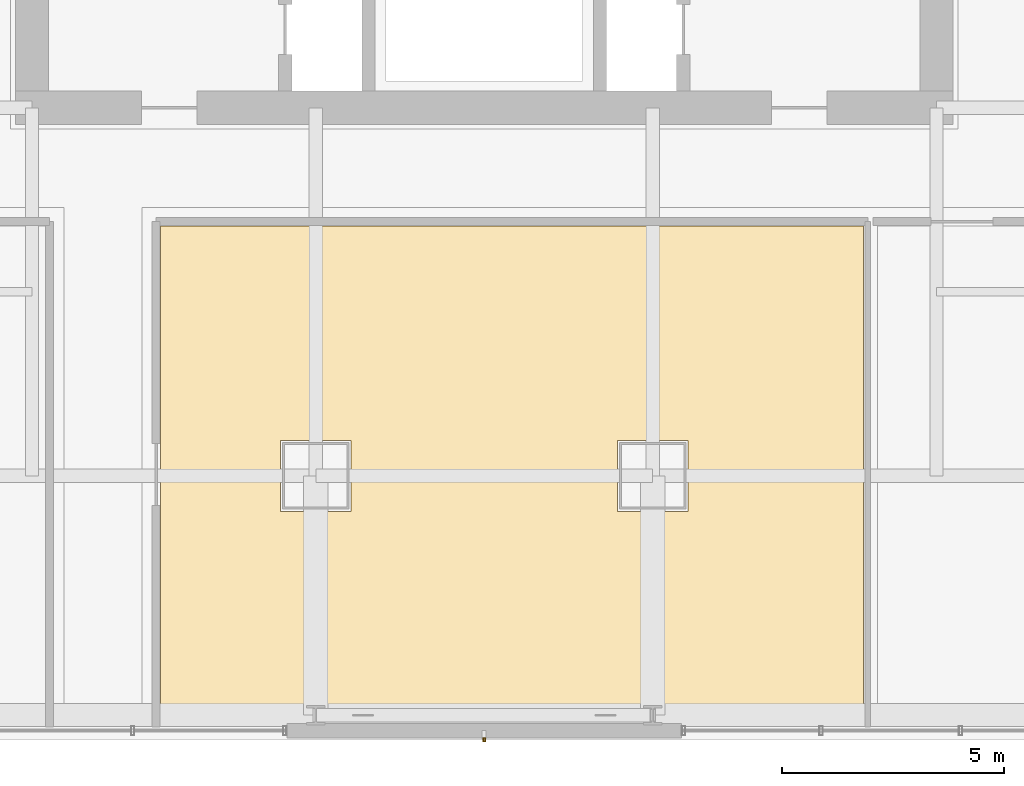
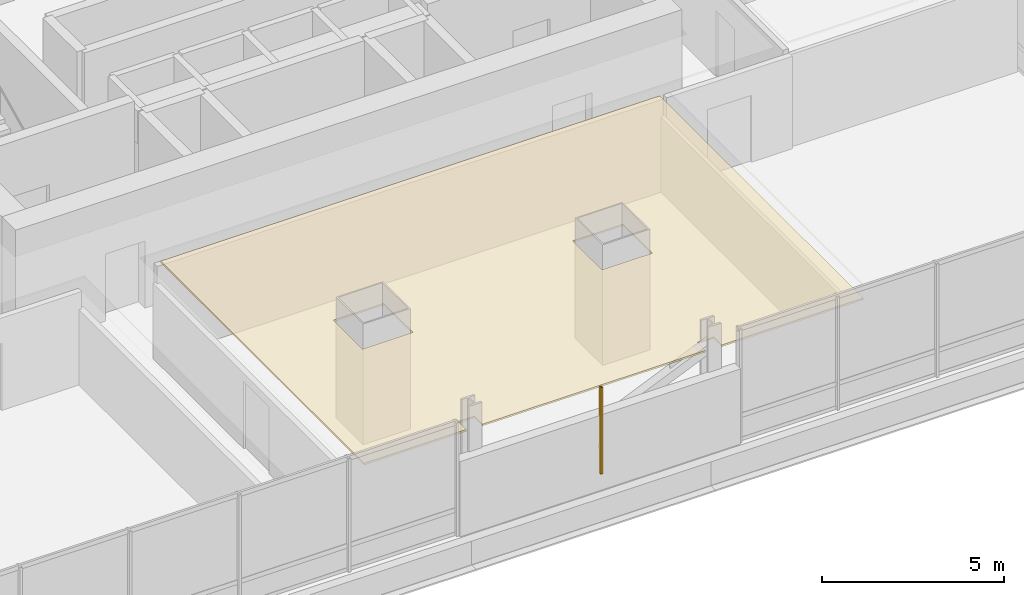
# One storey, part 31 of 37: 1 covering, 1 shading device.
"""IFC4 building model written with IfcOpenShell, lengths in metres."""

from ifc_helpers import new_model, si_unit, direction, frame, origin, origin_2d, place, context, subcontext, project, spatial, polyline, hollow_rectangle, outline, extrude, material, layer, layer_set, material_profile, profile_set, type_object, element, save


model = new_model("IFC4")

# Units and contexts
model_context = context("Model", 3, precision=1e-05, world=origin(), true_north=direction((0.0, 1.0)))
body_context = subcontext(model_context, "Body", "Model", "MODEL_VIEW")
ifc_project = project(units=[si_unit("LENGTHUNIT", "METRE"), si_unit("AREAUNIT", "SQUARE_METRE"), si_unit("VOLUMEUNIT", "CUBIC_METRE"), si_unit("PLANEANGLEUNIT", "RADIAN"), si_unit("MASSUNIT", "GRAM", prefix="KILO")], contexts=[model_context])

# Site, building, storey
site_placement = place(None, origin())
site = spatial("IfcSite", under=ifc_project, at=site_placement, CompositionType="ELEMENT")
building_placement = place(site_placement, origin())
building = spatial("IfcBuilding", under=site, at=building_placement, Name="Punatoya Terracotta Tower", CompositionType="ELEMENT")
storey_placement = place(building_placement, frame((0.0, 0.0, 44.39990234375)))
storey = spatial("IfcBuildingStorey", under=building, at=storey_placement, Name="L09", CompositionType="ELEMENT", Elevation=44.39990234375)

# Covering
ifc_material_1 = material(Name="Acoustic Mineral Fibre Ceiling")
ifc_layer = layer(ifc_material_1, 0.06005859375)
ifc_layer_set = layer_set([ifc_layer], Name="Acoustic Mineral Fibre Ceiling")
covering_type = type_object("IfcCoveringType", Name="COV-CEIL-60", PredefinedType="CEILING", material=ifc_layer_set)
covering_placement = place(storey_placement, frame((0.0, 0.0, 3.2001953125)))
element("IfcCovering", 1, at=covering_placement, inside=storey, type_object=covering_type, Name="L09 Plenary Seminar Room Acoustic Ceiling", PredefinedType="CEILING", context=body_context, shape_type="SweptSolid", body=[
    extrude(outline(polyline([(-3.5419921875, -23.070068359375), (3.5419921875, -23.070068359375), (3.5419921875, -22.626953125), (4.05810546875, -22.626953125), (4.05810546875, -23.070068359375), (8.552001953125, -23.070068359375), (8.552001953125, -11.8701171875), (-7.300048828125, -11.8701171875), (-7.300048828125, -23.070068359375), (-4.05810546875, -23.070068359375), (-4.05810546875, -22.626953125), (-3.5419921875, -22.626953125), (-3.5419921875, -23.070068359375)]), holes=[polyline([(4.60009765625, -16.699951171875), (4.60009765625, -18.300048828125), (3.0, -18.300048828125), (3.0, -16.699951171875), (4.60009765625, -16.699951171875)]), polyline([(-4.60009765625, -16.699951171875), (-3.0, -16.699951171875), (-3.0, -18.300048828125), (-4.60009765625, -18.300048828125), (-4.60009765625, -16.699951171875)])]), origin(), (0.0, 0.0, 1.0), 0.059814453125),
])

# Shading device
ifc_material_2 = material(Name="Architectural Fired Terracotta", Category="masonry")
ifc_material_profile = material_profile(ifc_material_2, hollow_rectangle(XDim=0.06005859375, YDim=0.090087890625, WallThickness=0.013916015625, at=origin_2d()))
ifc_profile_set = profile_set([ifc_material_profile], Name="Architectural Fired Terracotta")
shading_device_type = type_object("IfcShadingDeviceType", Name="SHD-JALI-90", PredefinedType="JALOUSIE", material=ifc_profile_set)
shading_device_placement = place(storey_placement, frame((0.0, -23.449951171875, 0.60009765625), z_axis=(0.0, 0.0, 1.0), x_axis=(1.0, 0.0, 0.0)))
element("IfcShadingDevice", 2, at=shading_device_placement, inside=storey, type_object=shading_device_type, Name="L09 Braced Bay Terracotta Jali Fin S1", PredefinedType="JALOUSIE", context=body_context, shape_type="SweptSolid", body=[
    extrude(hollow_rectangle(XDim=0.06005859375, YDim=0.090087890625, WallThickness=0.013916015625, at=origin_2d()), origin(), (0.0, 0.0, 1.0), 2.909912109375),
])

save(model, "model.ifc")
